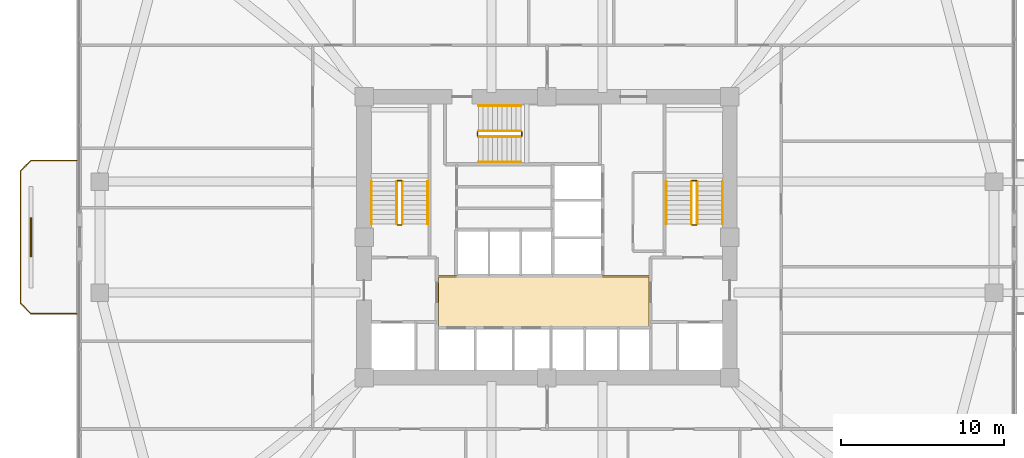
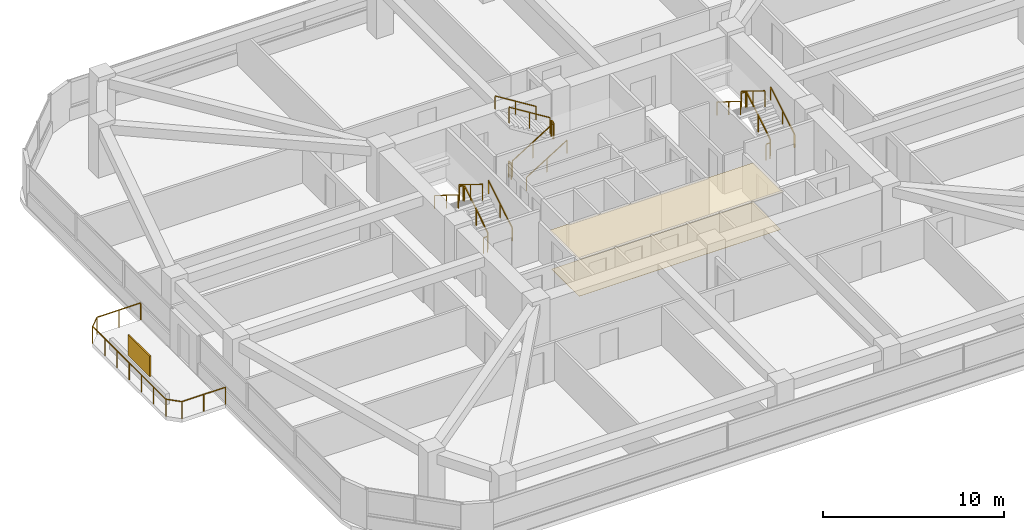
# One storey, part 14 of 15: 19 railings, 2 coverings, 1 shading device.
"""IFC4 building model written with IfcOpenShell, lengths in metres."""

from ifc_helpers import new_model, si_unit, derived_unit, direction, frame, origin, origin_2d, place, context, subcontext, project, spatial, polyline, rectangle, outline, extrude, material, layer, layer_set, type_object, element, save


model = new_model("IFC4")

# Units and contexts
model_context = context("Model", 3, precision=1e-05, world=origin(), true_north=direction((0.0, 1.0)))
body_context = subcontext(model_context, "Body", "Model", "MODEL_VIEW")
ifc_project = project(units=[si_unit("LENGTHUNIT", "METRE"), si_unit("AREAUNIT", "SQUARE_METRE"), si_unit("VOLUMEUNIT", "CUBIC_METRE"), si_unit("PLANEANGLEUNIT", "RADIAN"), si_unit("MASSUNIT", "GRAM", prefix="KILO"), derived_unit("THERMALTRANSMITTANCEUNIT", [(si_unit("POWERUNIT", "WATT"), 1), (si_unit("LENGTHUNIT", "METRE"), -2), (si_unit("THERMODYNAMICTEMPERATUREUNIT", "KELVIN"), -1)])], contexts=[model_context])

# Site, building, storey
site_placement = place(None, origin())
site = spatial("IfcSite", under=ifc_project, at=site_placement, CompositionType="ELEMENT")
building_placement = place(site_placement, origin())
building = spatial("IfcBuilding", under=site, at=building_placement, Name="Koralith Skygarden Medical Center", CompositionType="ELEMENT")
storey_placement = place(building_placement, frame((0.0, 0.0, 41.93994140625)))
storey = spatial("IfcBuildingStorey", under=building, at=storey_placement, Name="L10", CompositionType="ELEMENT", Elevation=41.93994140625)

# Covering
ifc_material_1 = material(Name="Acoustic Mineral Tile")
ifc_layer_1 = layer(ifc_material_1, 0.02001953125)
ifc_layer_set_1 = layer_set([ifc_layer_1], Name="Acoustic Mineral Tile")
covering_type_1 = type_object("IfcCoveringType", Name="Acoustic Hygienic Mineral Ceiling 20", PredefinedType="CEILING", material=ifc_layer_set_1)
covering_1_placement = place(storey_placement, frame((0.0, 0.0, 2.5849609375)))
element("IfcCovering", 1, at=covering_1_placement, inside=storey, type_object=covering_type_1, Name="L10 Core Lobby Acoustic Ceiling", PredefinedType="CEILING", context=body_context, shape_type="SweptSolid", body=[
    extrude(outline(polyline([(30.25, 20.320068359375), (43.35009765625, 20.320068359375), (43.35009765625, 23.56005859375), (30.25, 23.56005859375), (30.25, 20.320068359375)])), origin(), (0.0, 0.0, 1.0), 0.02001953125),
])

# Railing
ifc_material_2 = material(Name="Steel ASTM A500 Grade C", Category="steel")
railing_type_1 = type_object("IfcRailingType", Name="Outdoor Terrace & Balcony Safety Guardrail 1180", PredefinedType="GUARDRAIL", material=ifc_material_2)
railing_1_placement = place(storey_placement, frame((8.199951171875, 21.199951171875, 0.0)))
element("IfcRailing", 2, at=railing_1_placement, inside=storey, type_object=railing_type_1, Name="L10 W Balcony Perimeter Guardrail", PredefinedType="GUARDRAIL", context=body_context, shape_type="SweptSolid", body=[
    extrude(rectangle(XDim=0.050048828125, YDim=0.050048828125, at=origin_2d()), frame((-0.001953125, 0.0, 1.15478515625), z_axis=(-1.0, 0.0, 0.0), x_axis=(0.0, -1.0, 0.0)), (0.0, 0.0, 1.0), 2.796142578125),
    extrude(rectangle(XDim=0.050048828125, YDim=0.050048828125, at=origin_2d()), frame((-2.801513671875, 0.00146484375, 1.15478515625), z_axis=(-0.706973978714, 0.707239558722, 0.0), x_axis=(-0.707239558722, -0.706973978714, 0.0)), (0.0, 0.0, 1.0), 0.915283203125),
    extrude(rectangle(XDim=0.050048828125, YDim=0.050048828125, at=origin_2d()), frame((-3.449951171875, 0.652099609375, 1.15478515625), z_axis=(0.0, 1.0, 0.0), x_axis=(-1.0, 0.0, 0.0)), (0.0, 0.0, 1.0), 8.095947265625),
    extrude(rectangle(XDim=0.050048828125, YDim=0.050048828125, at=origin_2d()), frame((-3.448486328125, 8.75146484375, 1.15478515625), z_axis=(0.706973978714, 0.707239558722, 0.0), x_axis=(-0.707239558722, 0.706973978714, 0.0)), (0.0, 0.0, 1.0), 0.915283203125),
    extrude(rectangle(XDim=0.050048828125, YDim=0.050048828125, at=origin_2d()), frame((-2.798095703125, 9.400146484375, 1.15478515625), z_axis=(1.0, 0.0, 0.0), x_axis=(0.0, 1.0, 0.0)), (0.0, 0.0, 1.0), 2.796142578125),
    extrude(rectangle(XDim=0.0419921875, YDim=0.0419921875, at=origin_2d()), origin(), (0.0, 0.0, 1.0), 1.1279296875),
    extrude(rectangle(XDim=0.0419921875, YDim=0.0419921875, at=origin_2d()), frame((-1.39990234375, 0.0, 0.0)), (0.0, 0.0, 1.0), 1.1279296875),
    extrude(rectangle(XDim=0.0419921875, YDim=0.0419921875, at=origin_2d()), frame((-2.800048828125, 0.0, 0.0)), (0.0, 0.0, 1.0), 1.1279296875),
    extrude(rectangle(XDim=0.0419921875, YDim=0.0419921875, at=origin_2d()), frame((-3.449951171875, 0.650146484375, 0.0)), (0.0, 0.0, 1.0), 1.1279296875),
    extrude(rectangle(XDim=0.0419921875, YDim=0.0419921875, at=origin_2d()), frame((-3.449951171875, 2.0, 0.0)), (0.0, 0.0, 1.0), 1.1279296875),
    extrude(rectangle(XDim=0.0419921875, YDim=0.0419921875, at=origin_2d()), frame((-3.449951171875, 3.35009765625, 0.0)), (0.0, 0.0, 1.0), 1.1279296875),
    extrude(rectangle(XDim=0.0419921875, YDim=0.0419921875, at=origin_2d()), frame((-3.449951171875, 4.7001953125, 0.0)), (0.0, 0.0, 1.0), 1.1279296875),
    extrude(rectangle(XDim=0.0419921875, YDim=0.0419921875, at=origin_2d()), frame((-3.449951171875, 6.050048828125, 0.0)), (0.0, 0.0, 1.0), 1.1279296875),
    extrude(rectangle(XDim=0.0419921875, YDim=0.0419921875, at=origin_2d()), frame((-3.449951171875, 7.39990234375, 0.0)), (0.0, 0.0, 1.0), 1.1279296875),
    extrude(rectangle(XDim=0.0419921875, YDim=0.0419921875, at=origin_2d()), frame((-3.449951171875, 8.75, 0.0)), (0.0, 0.0, 1.0), 1.1279296875),
    extrude(rectangle(XDim=0.0419921875, YDim=0.0419921875, at=origin_2d()), frame((-2.800048828125, 9.400146484375, 0.0)), (0.0, 0.0, 1.0), 1.1279296875),
    extrude(rectangle(XDim=0.0419921875, YDim=0.0419921875, at=origin_2d()), frame((-1.39990234375, 9.400146484375, 0.0)), (0.0, 0.0, 1.0), 1.1279296875),
    extrude(rectangle(XDim=0.0419921875, YDim=0.0419921875, at=origin_2d()), frame((0.0, 9.400146484375, 0.0)), (0.0, 0.0, 1.0), 1.1279296875),
])

# Shading device
ifc_material_3 = material(Name="Aluminium 6063-T6", Category="aluminium")
ifc_layer_2 = layer(ifc_material_3, 0.080078125)
ifc_layer_set_2 = layer_set([ifc_layer_2], Name="Aluminium 6063-T6")
shading_device_type = type_object("IfcShadingDeviceType", Name="Perforated Biophilic Balcony Trellis Screen", PredefinedType="USERDEFINED", material=ifc_layer_set_2)
shading_device_placement = place(storey_placement, frame((5.39990234375, 25.89990234375, 0.72021484375), z_axis=(0.0, 0.0, 1.0), x_axis=(0.0, 1.0, 0.0)))
element("IfcShadingDevice", 3, at=shading_device_placement, inside=storey, type_object=shading_device_type, Name="L10 W Biophilic Balcony Trellis Screen", ObjectType="HURRICANE SCREEN", PredefinedType="USERDEFINED", context=body_context, shape_type="SweptSolid", body=[
    extrude(rectangle(XDim=2.39990234375, YDim=0.080078125, at=origin_2d()), origin(), (0.0, 0.0, 1.0), 1.39990234375),
])

# Covering
ifc_material_4 = material(Name="Medical Terrazzo Flooring")
ifc_layer_3 = layer(ifc_material_4, 0.014892578125)
ifc_layer_set_3 = layer_set([ifc_layer_3], Name="Medical Terrazzo Flooring")
covering_type_2 = type_object("IfcCoveringType", Name="Seamless Antimicrobial Terrazzo Flooring 15", PredefinedType="FLOORING", material=ifc_layer_set_3)
covering_2_placement = place(storey_placement, origin())
element("IfcCovering", 4, at=covering_2_placement, inside=storey, type_object=covering_type_2, Name="L10 Core Lobby Terrazzo Flooring", PredefinedType="FLOORING", context=body_context, shape_type="SweptSolid", body=[
    extrude(outline(polyline([(30.35009765625, 20.419921875), (43.25, 20.419921875), (43.25, 23.4599609375), (30.35009765625, 23.4599609375), (30.35009765625, 20.419921875)])), origin(), (0.0, 0.0, 1.0), 0.01513671875),
])

# Railings
railing_type_2 = type_object("IfcRailingType", Name="Stair Flight Tubular Handrail 920", PredefinedType="HANDRAIL", material=ifc_material_2)
railing_2_placement = place(storey_placement, frame((29.699951171875, 26.699951171875, 0.18017578125)))
element("IfcRailing", 5, at=railing_2_placement, inside=storey, type_object=railing_type_2, Name="L10 ST1 stair handrail 1", PredefinedType="HANDRAIL", context=body_context, shape_type="SweptSolid", body=[
    extrude(rectangle(XDim=0.050048828125, YDim=0.050048828125, at=origin_2d()), frame((0.0, 0.001708984375, 0.89599609375), z_axis=(0.0, 0.849668407637, 0.527317358963), x_axis=(-1.0, 0.0, 0.0)), (0.0, 0.0, 1.0), 3.06787109375),
    extrude(rectangle(XDim=0.0419921875, YDim=0.0419921875, at=origin_2d()), origin(), (0.0, 0.0, 1.0), 0.867919921875),
    extrude(rectangle(XDim=0.0419921875, YDim=0.0419921875, at=origin_2d()), frame((0.0, 1.30517578125, 0.81005859375)), (0.0, 0.0, 1.0), 0.867919921875),
    extrude(rectangle(XDim=0.0419921875, YDim=0.0419921875, at=origin_2d()), frame((0.0, 2.610107421875, 1.619873046875)), (0.0, 0.0, 1.0), 0.867919921875),
])
railing_3_placement = place(storey_placement, frame((26.25, 29.31005859375, 1.97998046875)))
element("IfcRailing", 6, at=railing_3_placement, inside=storey, type_object=railing_type_2, Name="L10 ST1 stair handrail 2", PredefinedType="HANDRAIL", context=body_context, shape_type="SweptSolid", body=[
    extrude(rectangle(XDim=0.050048828125, YDim=0.050048828125, at=origin_2d()), frame((0.0, -0.001708984375, 0.89599609375), z_axis=(0.0, -0.849632798774, 0.527374731332), x_axis=(1.0, 0.0, 0.0)), (0.0, 0.0, 1.0), 3.068115234375),
    extrude(rectangle(XDim=0.0419921875, YDim=0.0419921875, at=origin_2d()), origin(), (0.0, 0.0, 1.0), 0.867919921875),
    extrude(rectangle(XDim=0.0419921875, YDim=0.0419921875, at=origin_2d()), frame((0.0, -1.30517578125, 0.81005859375)), (0.0, 0.0, 1.0), 0.867919921875),
    extrude(rectangle(XDim=0.0419921875, YDim=0.0419921875, at=origin_2d()), frame((0.0, -2.610107421875, 1.6201171875)), (0.0, 0.0, 1.0), 0.867919921875),
])
railing_4_placement = place(storey_placement, frame((47.75, 26.699951171875, 0.18017578125)))
element("IfcRailing", 7, at=railing_4_placement, inside=storey, type_object=railing_type_2, Name="L10 ST2 stair handrail 1", PredefinedType="HANDRAIL", context=body_context, shape_type="SweptSolid", body=[
    extrude(rectangle(XDim=0.050048828125, YDim=0.050048828125, at=origin_2d()), frame((0.0, 0.001708984375, 0.89599609375), z_axis=(0.0, 0.849668407637, 0.527317358963), x_axis=(-1.0, 0.0, 0.0)), (0.0, 0.0, 1.0), 3.06787109375),
    extrude(rectangle(XDim=0.0419921875, YDim=0.0419921875, at=origin_2d()), origin(), (0.0, 0.0, 1.0), 0.867919921875),
    extrude(rectangle(XDim=0.0419921875, YDim=0.0419921875, at=origin_2d()), frame((0.0, 1.30517578125, 0.81005859375)), (0.0, 0.0, 1.0), 0.867919921875),
    extrude(rectangle(XDim=0.0419921875, YDim=0.0419921875, at=origin_2d()), frame((0.0, 2.610107421875, 1.619873046875)), (0.0, 0.0, 1.0), 0.867919921875),
])
railing_5_placement = place(storey_placement, frame((44.300048828125, 29.31005859375, 1.97998046875)))
element("IfcRailing", 8, at=railing_5_placement, inside=storey, type_object=railing_type_2, Name="L10 ST2 stair handrail 2", PredefinedType="HANDRAIL", context=body_context, shape_type="SweptSolid", body=[
    extrude(rectangle(XDim=0.050048828125, YDim=0.050048828125, at=origin_2d()), frame((0.0, -0.001708984375, 0.89599609375), z_axis=(0.0, -0.849632798774, 0.527374731332), x_axis=(1.0, 0.0, 0.0)), (0.0, 0.0, 1.0), 3.068115234375),
    extrude(rectangle(XDim=0.0419921875, YDim=0.0419921875, at=origin_2d()), origin(), (0.0, 0.0, 1.0), 0.867919921875),
    extrude(rectangle(XDim=0.0419921875, YDim=0.0419921875, at=origin_2d()), frame((0.0, -1.30517578125, 0.81005859375)), (0.0, 0.0, 1.0), 0.867919921875),
    extrude(rectangle(XDim=0.0419921875, YDim=0.0419921875, at=origin_2d()), frame((0.0, -2.610107421875, 1.6201171875)), (0.0, 0.0, 1.0), 0.867919921875),
])
railing_6_placement = place(storey_placement, frame((32.800048828125, 30.5, 0.18017578125)))
element("IfcRailing", 9, at=railing_6_placement, inside=storey, type_object=railing_type_2, Name="L10 ST3 stair handrail 1", PredefinedType="HANDRAIL", context=body_context, shape_type="SweptSolid", body=[
    extrude(rectangle(XDim=0.050048828125, YDim=0.050048828125, at=origin_2d()), frame((0.001708984375, 0.0, 0.89599609375), z_axis=(0.849646306263, 0.0, 0.527352969322), x_axis=(0.0, 1.0, 0.0)), (0.0, 0.0, 1.0), 3.067626953125),
    extrude(rectangle(XDim=0.0419921875, YDim=0.0419921875, at=origin_2d()), origin(), (0.0, 0.0, 1.0), 0.867919921875),
    extrude(rectangle(XDim=0.0419921875, YDim=0.0419921875, at=origin_2d()), frame((1.304931640625, 0.0, 0.81005859375)), (0.0, 0.0, 1.0), 0.867919921875),
    extrude(rectangle(XDim=0.0419921875, YDim=0.0419921875, at=origin_2d()), frame((2.60986328125, 0.0, 1.619873046875)), (0.0, 0.0, 1.0), 0.867919921875),
])
railing_7_placement = place(storey_placement, frame((35.409912109375, 33.949951171875, 1.97998046875)))
element("IfcRailing", 10, at=railing_7_placement, inside=storey, type_object=railing_type_2, Name="L10 ST3 stair handrail 2", PredefinedType="HANDRAIL", context=body_context, shape_type="SweptSolid", body=[
    extrude(rectangle(XDim=0.050048828125, YDim=0.050048828125, at=origin_2d()), frame((-0.001708984375, 0.0, 0.89599609375), z_axis=(-0.849610693518, 0.0, 0.52741034258), x_axis=(0.0, -1.0, 0.0)), (0.0, 0.0, 1.0), 3.06787109375),
    extrude(rectangle(XDim=0.0419921875, YDim=0.0419921875, at=origin_2d()), origin(), (0.0, 0.0, 1.0), 0.867919921875),
    extrude(rectangle(XDim=0.0419921875, YDim=0.0419921875, at=origin_2d()), frame((-1.304931640625, 0.0, 0.81005859375)), (0.0, 0.0, 1.0), 0.867919921875),
    extrude(rectangle(XDim=0.0419921875, YDim=0.0419921875, at=origin_2d()), frame((-2.60986328125, 0.0, 1.6201171875)), (0.0, 0.0, 1.0), 0.867919921875),
])
railing_type_3 = type_object("IfcRailingType", Name="Stair Well Safety Guardrail 1100", PredefinedType="GUARDRAIL", material=ifc_material_2)
railing_8_placement = place(storey_placement, frame((28.14990234375, 26.699951171875, 0.18017578125)))
element("IfcRailing", 11, at=railing_8_placement, inside=storey, type_object=railing_type_3, Name="L10 ST1 stair guard 1", PredefinedType="GUARDRAIL", context=body_context, shape_type="SweptSolid", body=[
    extrude(rectangle(XDim=0.050048828125, YDim=0.050048828125, at=origin_2d()), frame((0.0, 0.001708984375, 1.076171875), z_axis=(0.0, 0.849668407637, 0.527317358963), x_axis=(-1.0, 0.0, 0.0)), (0.0, 0.0, 1.0), 3.06787109375),
    extrude(rectangle(XDim=0.0419921875, YDim=0.0419921875, at=origin_2d()), origin(), (0.0, 0.0, 1.0), 1.048095703125),
    extrude(rectangle(XDim=0.0419921875, YDim=0.0419921875, at=origin_2d()), frame((0.0, 1.30517578125, 0.81005859375)), (0.0, 0.0, 1.0), 1.048095703125),
    extrude(rectangle(XDim=0.0419921875, YDim=0.0419921875, at=origin_2d()), frame((0.0, 2.610107421875, 1.619873046875)), (0.0, 0.0, 1.0), 1.048095703125),
])
railing_9_placement = place(storey_placement, frame((28.10009765625, 29.360107421875, 1.800048828125)))
element("IfcRailing", 12, at=railing_9_placement, inside=storey, type_object=railing_type_3, Name="L10 ST1 stair guard 2", PredefinedType="GUARDRAIL", context=body_context, shape_type="SweptSolid", body=[
    extrude(rectangle(XDim=0.050048828125, YDim=0.050048828125, at=origin_2d()), frame((-0.001953125, 0.0, 1.0751953125), z_axis=(-1.0, 0.0, 0.0), x_axis=(0.0, -1.0, 0.0)), (0.0, 0.0, 1.0), 0.24609375),
    extrude(rectangle(XDim=0.0419921875, YDim=0.0419921875, at=origin_2d()), origin(), (0.0, 0.0, 1.0), 1.048095703125),
    extrude(rectangle(XDim=0.0419921875, YDim=0.0419921875, at=origin_2d()), frame((-0.25, 0.0, 0.0)), (0.0, 0.0, 1.0), 1.048095703125),
])
railing_10_placement = place(storey_placement, frame((27.800048828125, 29.31005859375, 1.97998046875)))
element("IfcRailing", 13, at=railing_10_placement, inside=storey, type_object=railing_type_3, Name="L10 ST1 stair guard 3", PredefinedType="GUARDRAIL", context=body_context, shape_type="SweptSolid", body=[
    extrude(rectangle(XDim=0.050048828125, YDim=0.050048828125, at=origin_2d()), frame((0.0, -0.001708984375, 1.076171875), z_axis=(0.0, -0.849632798774, 0.527374731332), x_axis=(1.0, 0.0, 0.0)), (0.0, 0.0, 1.0), 3.068115234375),
    extrude(rectangle(XDim=0.0419921875, YDim=0.0419921875, at=origin_2d()), origin(), (0.0, 0.0, 1.0), 1.048095703125),
    extrude(rectangle(XDim=0.0419921875, YDim=0.0419921875, at=origin_2d()), frame((0.0, -1.30517578125, 0.81005859375)), (0.0, 0.0, 1.0), 1.048095703125),
    extrude(rectangle(XDim=0.0419921875, YDim=0.0419921875, at=origin_2d()), frame((0.0, -2.610107421875, 1.6201171875)), (0.0, 0.0, 1.0), 1.048095703125),
])
railing_11_placement = place(storey_placement, frame((28.10009765625, 26.64990234375, 0.0)))
element("IfcRailing", 14, at=railing_11_placement, inside=storey, type_object=railing_type_3, Name="L10 ST1 stair guard 4", PredefinedType="GUARDRAIL", context=body_context, shape_type="SweptSolid", body=[
    extrude(rectangle(XDim=0.050048828125, YDim=0.050048828125, at=origin_2d()), frame((-0.001953125, 0.0, 1.0751953125), z_axis=(-1.0, 0.0, 0.0), x_axis=(0.0, -1.0, 0.0)), (0.0, 0.0, 1.0), 0.24609375),
    extrude(rectangle(XDim=0.0419921875, YDim=0.0419921875, at=origin_2d()), origin(), (0.0, 0.0, 1.0), 1.048095703125),
    extrude(rectangle(XDim=0.0419921875, YDim=0.0419921875, at=origin_2d()), frame((-0.25, 0.0, 0.0)), (0.0, 0.0, 1.0), 1.048095703125),
])
railing_12_placement = place(storey_placement, frame((46.199951171875, 26.699951171875, 0.18017578125)))
element("IfcRailing", 15, at=railing_12_placement, inside=storey, type_object=railing_type_3, Name="L10 ST2 stair guard 1", PredefinedType="GUARDRAIL", context=body_context, shape_type="SweptSolid", body=[
    extrude(rectangle(XDim=0.050048828125, YDim=0.050048828125, at=origin_2d()), frame((0.0, 0.001708984375, 1.076171875), z_axis=(0.0, 0.849668407637, 0.527317358963), x_axis=(-1.0, 0.0, 0.0)), (0.0, 0.0, 1.0), 3.06787109375),
    extrude(rectangle(XDim=0.0419921875, YDim=0.0419921875, at=origin_2d()), origin(), (0.0, 0.0, 1.0), 1.048095703125),
    extrude(rectangle(XDim=0.0419921875, YDim=0.0419921875, at=origin_2d()), frame((0.0, 1.30517578125, 0.81005859375)), (0.0, 0.0, 1.0), 1.048095703125),
    extrude(rectangle(XDim=0.0419921875, YDim=0.0419921875, at=origin_2d()), frame((0.0, 2.610107421875, 1.619873046875)), (0.0, 0.0, 1.0), 1.048095703125),
])
railing_13_placement = place(storey_placement, frame((46.14990234375, 29.360107421875, 1.800048828125)))
element("IfcRailing", 16, at=railing_13_placement, inside=storey, type_object=railing_type_3, Name="L10 ST2 stair guard 2", PredefinedType="GUARDRAIL", context=body_context, shape_type="SweptSolid", body=[
    extrude(rectangle(XDim=0.050048828125, YDim=0.050048828125, at=origin_2d()), frame((-0.001953125, 0.0, 1.0751953125), z_axis=(-1.0, 0.0, 0.0), x_axis=(0.0, -1.0, 0.0)), (0.0, 0.0, 1.0), 0.24609375),
    extrude(rectangle(XDim=0.0419921875, YDim=0.0419921875, at=origin_2d()), origin(), (0.0, 0.0, 1.0), 1.048095703125),
    extrude(rectangle(XDim=0.0419921875, YDim=0.0419921875, at=origin_2d()), frame((-0.25, 0.0, 0.0)), (0.0, 0.0, 1.0), 1.048095703125),
])
railing_14_placement = place(storey_placement, frame((45.85009765625, 29.31005859375, 1.97998046875)))
element("IfcRailing", 17, at=railing_14_placement, inside=storey, type_object=railing_type_3, Name="L10 ST2 stair guard 3", PredefinedType="GUARDRAIL", context=body_context, shape_type="SweptSolid", body=[
    extrude(rectangle(XDim=0.050048828125, YDim=0.050048828125, at=origin_2d()), frame((0.0, -0.001708984375, 1.076171875), z_axis=(0.0, -0.849632798774, 0.527374731332), x_axis=(1.0, 0.0, 0.0)), (0.0, 0.0, 1.0), 3.068115234375),
    extrude(rectangle(XDim=0.0419921875, YDim=0.0419921875, at=origin_2d()), origin(), (0.0, 0.0, 1.0), 1.048095703125),
    extrude(rectangle(XDim=0.0419921875, YDim=0.0419921875, at=origin_2d()), frame((0.0, -1.30517578125, 0.81005859375)), (0.0, 0.0, 1.0), 1.048095703125),
    extrude(rectangle(XDim=0.0419921875, YDim=0.0419921875, at=origin_2d()), frame((0.0, -2.610107421875, 1.6201171875)), (0.0, 0.0, 1.0), 1.048095703125),
])
railing_15_placement = place(storey_placement, frame((46.14990234375, 26.64990234375, 0.0)))
element("IfcRailing", 18, at=railing_15_placement, inside=storey, type_object=railing_type_3, Name="L10 ST2 stair guard 4", PredefinedType="GUARDRAIL", context=body_context, shape_type="SweptSolid", body=[
    extrude(rectangle(XDim=0.050048828125, YDim=0.050048828125, at=origin_2d()), frame((-0.001953125, 0.0, 1.0751953125), z_axis=(-1.0, 0.0, 0.0), x_axis=(0.0, -1.0, 0.0)), (0.0, 0.0, 1.0), 0.24609375),
    extrude(rectangle(XDim=0.0419921875, YDim=0.0419921875, at=origin_2d()), origin(), (0.0, 0.0, 1.0), 1.048095703125),
    extrude(rectangle(XDim=0.0419921875, YDim=0.0419921875, at=origin_2d()), frame((-0.25, 0.0, 0.0)), (0.0, 0.0, 1.0), 1.048095703125),
])
railing_16_placement = place(storey_placement, frame((32.800048828125, 32.050048828125, 0.18017578125)))
element("IfcRailing", 19, at=railing_16_placement, inside=storey, type_object=railing_type_3, Name="L10 ST3 stair guard 1", PredefinedType="GUARDRAIL", context=body_context, shape_type="SweptSolid", body=[
    extrude(rectangle(XDim=0.050048828125, YDim=0.050048828125, at=origin_2d()), frame((0.001708984375, 0.0, 1.076171875), z_axis=(0.849646306263, 0.0, 0.527352969322), x_axis=(0.0, 1.0, 0.0)), (0.0, 0.0, 1.0), 3.067626953125),
    extrude(rectangle(XDim=0.0419921875, YDim=0.0419921875, at=origin_2d()), origin(), (0.0, 0.0, 1.0), 1.048095703125),
    extrude(rectangle(XDim=0.0419921875, YDim=0.0419921875, at=origin_2d()), frame((1.304931640625, 0.0, 0.81005859375)), (0.0, 0.0, 1.0), 1.048095703125),
    extrude(rectangle(XDim=0.0419921875, YDim=0.0419921875, at=origin_2d()), frame((2.60986328125, 0.0, 1.619873046875)), (0.0, 0.0, 1.0), 1.048095703125),
])
railing_17_placement = place(storey_placement, frame((35.4599609375, 32.10009765625, 1.800048828125)))
element("IfcRailing", 20, at=railing_17_placement, inside=storey, type_object=railing_type_3, Name="L10 ST3 stair guard 2", PredefinedType="GUARDRAIL", context=body_context, shape_type="SweptSolid", body=[
    extrude(rectangle(XDim=0.050048828125, YDim=0.050048828125, at=origin_2d()), frame((0.0, 0.001953125, 1.0751953125), z_axis=(0.0, 1.0, 0.0), x_axis=(-1.0, 0.0, 0.0)), (0.0, 0.0, 1.0), 0.24609375),
    extrude(rectangle(XDim=0.0419921875, YDim=0.0419921875, at=origin_2d()), origin(), (0.0, 0.0, 1.0), 1.048095703125),
    extrude(rectangle(XDim=0.0419921875, YDim=0.0419921875, at=origin_2d()), frame((0.0, 0.25, 0.0)), (0.0, 0.0, 1.0), 1.048095703125),
])
railing_18_placement = place(storey_placement, frame((35.409912109375, 32.39990234375, 1.97998046875)))
element("IfcRailing", 21, at=railing_18_placement, inside=storey, type_object=railing_type_3, Name="L10 ST3 stair guard 3", PredefinedType="GUARDRAIL", context=body_context, shape_type="SweptSolid", body=[
    extrude(rectangle(XDim=0.050048828125, YDim=0.050048828125, at=origin_2d()), frame((-0.001708984375, 0.0, 1.076171875), z_axis=(-0.849610693518, 0.0, 0.52741034258), x_axis=(0.0, -1.0, 0.0)), (0.0, 0.0, 1.0), 3.06787109375),
    extrude(rectangle(XDim=0.0419921875, YDim=0.0419921875, at=origin_2d()), origin(), (0.0, 0.0, 1.0), 1.048095703125),
    extrude(rectangle(XDim=0.0419921875, YDim=0.0419921875, at=origin_2d()), frame((-1.304931640625, 0.0, 0.81005859375)), (0.0, 0.0, 1.0), 1.048095703125),
    extrude(rectangle(XDim=0.0419921875, YDim=0.0419921875, at=origin_2d()), frame((-2.60986328125, 0.0, 1.6201171875)), (0.0, 0.0, 1.0), 1.048095703125),
])
railing_19_placement = place(storey_placement, frame((32.75, 32.10009765625, 0.0)))
element("IfcRailing", 22, at=railing_19_placement, inside=storey, type_object=railing_type_3, Name="L10 ST3 stair guard 4", PredefinedType="GUARDRAIL", context=body_context, shape_type="SweptSolid", body=[
    extrude(rectangle(XDim=0.050048828125, YDim=0.050048828125, at=origin_2d()), frame((0.0, 0.001953125, 1.0751953125), z_axis=(0.0, 1.0, 0.0), x_axis=(-1.0, 0.0, 0.0)), (0.0, 0.0, 1.0), 0.24609375),
    extrude(rectangle(XDim=0.0419921875, YDim=0.0419921875, at=origin_2d()), origin(), (0.0, 0.0, 1.0), 1.048095703125),
    extrude(rectangle(XDim=0.0419921875, YDim=0.0419921875, at=origin_2d()), frame((0.0, 0.25, 0.0)), (0.0, 0.0, 1.0), 1.048095703125),
])

save(model, "model.ifc")
